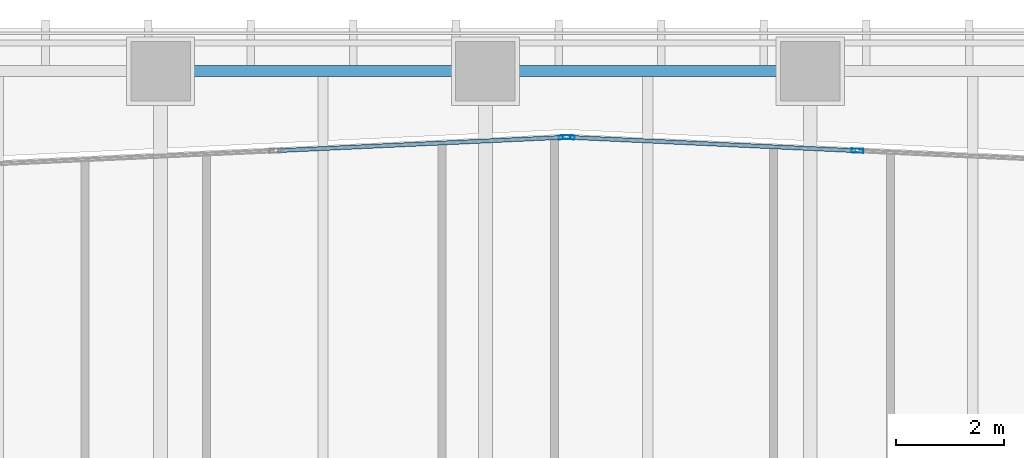
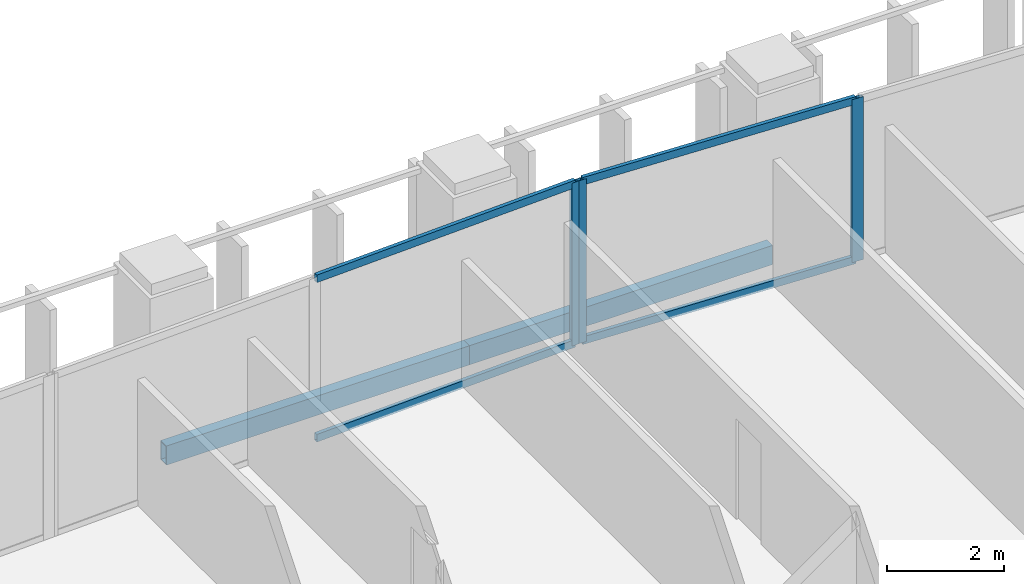
# One storey, part 13 of 31: 7 members, 2 beams, 2 elements without a shape of their own.
"""IFC4 building model written with IfcOpenShell, lengths in metres."""

from ifc_helpers import new_model, si_unit, direction, frame, origin, origin_2d, place, context, subcontext, project, spatial, hollow_rectangle, extrude, material, layer, layer_set, material_profile, profile_set, type_object, element, aggregate, save


model = new_model("IFC4")

# Units and contexts
model_context = context("Model", 3, precision=1e-05, world=origin(), true_north=direction((0.0, 1.0)))
body_context = subcontext(model_context, "Body", "Model", "MODEL_VIEW")
ifc_project = project(units=[si_unit("LENGTHUNIT", "METRE"), si_unit("AREAUNIT", "SQUARE_METRE"), si_unit("VOLUMEUNIT", "CUBIC_METRE"), si_unit("PLANEANGLEUNIT", "RADIAN"), si_unit("MASSUNIT", "GRAM", prefix="KILO")], contexts=[model_context])

# Site, building, storey
site_placement = place(None, origin())
site = spatial("IfcSite", under=ifc_project, at=site_placement, CompositionType="ELEMENT")
building_placement = place(site_placement, origin())
building = spatial("IfcBuilding", under=site, at=building_placement, Name="Tanjung Sevakor Pilgrim Tower", CompositionType="ELEMENT")
storey_placement = place(building_placement, frame((0.0, 0.0, 58.739990234375)))
storey = spatial("IfcBuildingStorey", under=building, at=storey_placement, Name="L16", CompositionType="ELEMENT", Elevation=58.739990234375)

# Beams
ifc_material_1 = material(Name="Steel S355J2", Category="steel")
ifc_material_profile_1 = material_profile(ifc_material_1, hollow_rectangle(XDim=0.199951171875, YDim=0.39990234375, WallThickness=0.01611328125, at=origin_2d()))
ifc_profile_set_1 = profile_set([ifc_material_profile_1], Name="Steel S355J2")
beam_type = type_object("IfcBeamType", Name="BM-B-SP2-RHS_400x200x16", PredefinedType="SPANDREL", material=ifc_profile_set_1)
for number, where, z_axis, x_axis, name in (
    (1, (66.0, 58.800048828125, -0.419921875), (1.0, 0.0, 0.0), (0.0, 1.0, 0.0), "L16 Spandrel MAIN N-12"),
    (2, (72.0, 58.800048828125, -0.419921875), (1.0, 0.0, 0.0), (0.0, 1.0, 0.0), "L16 Spandrel MAIN N-14"),
):
    element("IfcBeam", number, at=place(storey_placement, frame(where, z_axis=z_axis, x_axis=x_axis)), inside=storey, type_object=beam_type, Name=name, PredefinedType="SPANDREL", context=body_context, shape_type="SweptSolid", body=[
        extrude(hollow_rectangle(XDim=0.199951171875, YDim=0.39990234375, WallThickness=0.01611328125, at=origin_2d()), origin(), (0.0, 0.0, 1.0), 6.0),
    ])

# Curtain wall, members
ifc_material_2 = material(Name="Aluminium 6063-T6 and Low-E Glass", Category="aluminium")
ifc_layer = layer(ifc_material_2, 0.199951171875)
ifc_layer_set = layer_set([ifc_layer], Name="CW-SYS-PRAY")
curtain_wall_type = type_object("IfcCurtainWallType", Name="CW-SYS-PRAY", PredefinedType="NOTDEFINED", material=ifc_layer_set)
curtain_wall_1_placement = place(storey_placement, origin())
curtain_wall_1 = element("IfcCurtainWall", 3, at=curtain_wall_1_placement, inside=storey, type_object=curtain_wall_type, Name="L16 Curtain Wall CW-PRY-L16-21", PredefinedType="NOTDEFINED")
ifc_material_3 = material(Name="Aluminium 6063-T6", Category="aluminium")
ifc_material_profile_2 = material_profile(ifc_material_3, hollow_rectangle(XDim=0.074951171875, YDim=0.219970703125, WallThickness=0.0048828125, at=origin_2d()))
ifc_profile_set_2 = profile_set([ifc_material_profile_2], Name="Aluminium 6063-T6")
member_type_1 = type_object("IfcMemberType", Name="TYPE-CWM-2", PredefinedType="MULLION", material=ifc_profile_set_2)
member_1_placement = place(storey_placement, frame((78.871826171875, 57.330078125, 0.0), z_axis=(0.0, 0.0, 1.0), x_axis=(-0.046452337274, -0.998920507529, 0.0)))
member_1 = element("IfcMember", 4, at=member_1_placement, type_object=member_type_1, Name="CW-PRY mullion 2", PredefinedType="MULLION", context=body_context, shape_type="SweptSolid", body=[
    extrude(hollow_rectangle(XDim=0.074951171875, YDim=0.219970703125, WallThickness=0.0048828125, at=origin_2d()), origin(), (0.0, 0.0, 1.0), 3.409912109375),
])
member_2_placement = place(storey_placement, frame((73.537353515625, 57.578125, 0.0), z_axis=(0.0, 0.0, 1.0), x_axis=(-0.046452337274, -0.998920507529, 0.0)))
member_2 = element("IfcMember", 5, at=member_2_placement, type_object=member_type_1, Name="CW-PRY mullion 3", PredefinedType="MULLION", context=body_context, shape_type="SweptSolid", body=[
    extrude(hollow_rectangle(XDim=0.074951171875, YDim=0.219970703125, WallThickness=0.0048828125, at=origin_2d()), origin(), (0.0, 0.0, 1.0), 3.409912109375),
])

# Curtain wall, member
curtain_wall_2_placement = place(storey_placement, origin())
curtain_wall_2 = element("IfcCurtainWall", 6, at=curtain_wall_2_placement, inside=storey, type_object=curtain_wall_type, Name="L16 Curtain Wall CW-PRY-L16-22", PredefinedType="NOTDEFINED")
member_3_placement = place(storey_placement, frame((73.462646484375, 57.578125, 0.0), z_axis=(0.0, 0.0, 1.0), x_axis=(0.046452337274, -0.998920507529, 0.0)))
member_3 = element("IfcMember", 7, at=member_3_placement, type_object=member_type_1, Name="CW-PRY mullion 1", PredefinedType="MULLION", context=body_context, shape_type="SweptSolid", body=[
    extrude(hollow_rectangle(XDim=0.074951171875, YDim=0.219970703125, WallThickness=0.0048828125, at=origin_2d()), origin(), (0.0, 0.0, 1.0), 3.409912109375),
])

# Member
ifc_material_4 = material(Name="Aluminium 6063-T6", Category="aluminium")
ifc_material_profile_3 = material_profile(ifc_material_4, hollow_rectangle(XDim=0.074951171875, YDim=0.159912109375, WallThickness=0.00439453125, at=origin_2d()))
ifc_profile_set_3 = profile_set([ifc_material_profile_3], Name="Aluminium 6063-T6")
member_type_2 = type_object("IfcMemberType", Name="TYPE-CWT-2", PredefinedType="USERDEFINED", material=ifc_profile_set_3)
member_4_placement = place(storey_placement, frame((78.834228515625, 57.331787109375, 0.03759765625), z_axis=(-0.998919985977, 0.046463551478, 0.0), x_axis=(-0.046463551478, -0.998919985977, 0.0)))
member_4 = element("IfcMember", 8, at=member_4_placement, type_object=member_type_2, Name="CW-PRY transom 2.1", ObjectType="TRANSOM", PredefinedType="USERDEFINED", context=body_context, shape_type="SweptSolid", body=[
    extrude(hollow_rectangle(XDim=0.074951171875, YDim=0.159912109375, WallThickness=0.00439453125, at=origin_2d()), origin(), (0.0, 0.0, 1.0), 5.264892578125),
])

member_5_placement = place(storey_placement, frame((78.834228515625, 57.331787109375, 3.37255859375), z_axis=(-0.998919985977, 0.046463551478, 0.0), x_axis=(-0.046463551478, -0.998919985977, 0.0)))
member_5 = element("IfcMember", 9, at=member_5_placement, type_object=member_type_2, Name="CW-PRY transom 2.2", ObjectType="TRANSOM", PredefinedType="USERDEFINED", context=body_context, shape_type="SweptSolid", body=[
    extrude(hollow_rectangle(XDim=0.074951171875, YDim=0.159912109375, WallThickness=0.00439453125, at=origin_2d()), origin(), (0.0, 0.0, 1.0), 5.264892578125),
])

aggregate(curtain_wall_1, [member_1, member_2, member_4, member_5])

member_6_placement = place(storey_placement, frame((73.425048828125, 57.576416015625, 0.03759765625), z_axis=(-0.998919985977, -0.046463551478, 0.0), x_axis=(0.046463551478, -0.998919985977, 0.0)))
member_6 = element("IfcMember", 10, at=member_6_placement, type_object=member_type_2, Name="CW-PRY transom 1.1", ObjectType="TRANSOM", PredefinedType="USERDEFINED", context=body_context, shape_type="SweptSolid", body=[
    extrude(hollow_rectangle(XDim=0.074951171875, YDim=0.159912109375, WallThickness=0.00439453125, at=origin_2d()), origin(), (0.0, 0.0, 1.0), 5.264892578125),
])

member_7_placement = place(storey_placement, frame((73.425048828125, 57.576416015625, 3.37255859375), z_axis=(-0.998919985977, -0.046463551478, 0.0), x_axis=(0.046463551478, -0.998919985977, 0.0)))
member_7 = element("IfcMember", 11, at=member_7_placement, type_object=member_type_2, Name="CW-PRY transom 1.2", ObjectType="TRANSOM", PredefinedType="USERDEFINED", context=body_context, shape_type="SweptSolid", body=[
    extrude(hollow_rectangle(XDim=0.074951171875, YDim=0.159912109375, WallThickness=0.00439453125, at=origin_2d()), origin(), (0.0, 0.0, 1.0), 5.264892578125),
])

aggregate(curtain_wall_2, [member_3, member_6, member_7])

save(model, "model.ifc")
